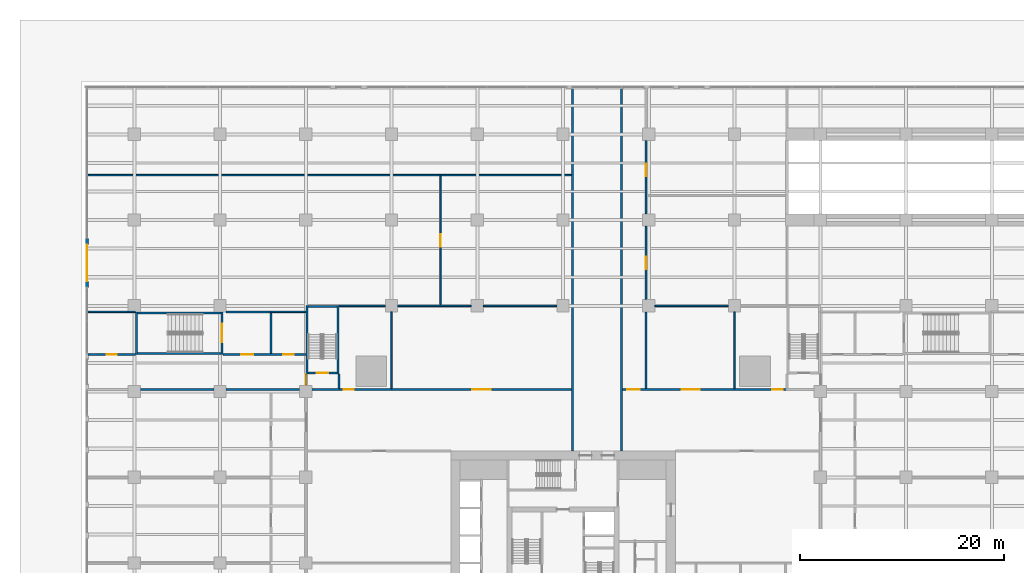
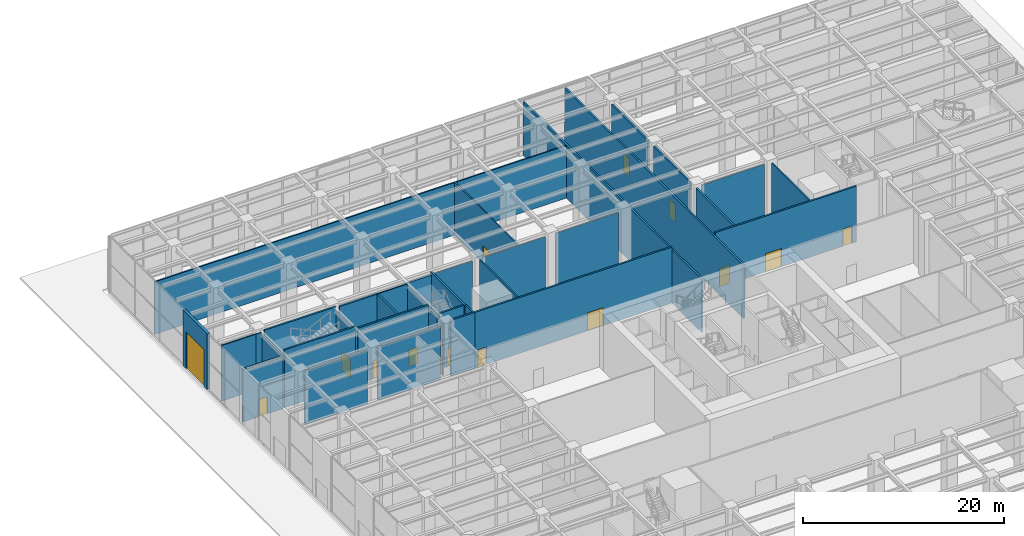
# One storey, part 34 of 43: 36 walls, 15 doors, 15 openings.
"""IFC4 building model written with IfcOpenShell, lengths in metres."""

from ifc_helpers import new_model, si_unit, direction, frame, frame_2d, origin, place, context, subcontext, project, spatial, rectangle, extrude, material, layer, layer_set, type_object, element, fill, save


model = new_model("IFC4")

# Units and contexts
model_context = context("Model", 3, precision=1e-05, world=origin(), true_north=direction((0.0, 1.0)))
body_context = subcontext(model_context, "Body", "Model", "MODEL_VIEW")
ifc_project = project(units=[si_unit("LENGTHUNIT", "METRE"), si_unit("AREAUNIT", "SQUARE_METRE"), si_unit("VOLUMEUNIT", "CUBIC_METRE"), si_unit("PLANEANGLEUNIT", "RADIAN"), si_unit("MASSUNIT", "GRAM", prefix="KILO")], contexts=[model_context])

# Site, building, storey
site_placement = place(None, origin())
site = spatial("IfcSite", under=ifc_project, at=site_placement, CompositionType="ELEMENT")
building_placement = place(site_placement, origin())
building = spatial("IfcBuilding", under=site, at=building_placement, Name="Khepri Terraces", CompositionType="ELEMENT")
storey_placement = place(building_placement, origin())
storey = spatial("IfcBuildingStorey", under=building, at=storey_placement, Name="L00", CompositionType="ELEMENT", Elevation=0.0)

# Wall, opening, door
ifc_material_1 = material(Name="Precast concrete C50/60 warm stone", Category="masonry")
ifc_layer_1 = layer(ifc_material_1, 0.300048828125, Name="Precast concrete C50/60 warm stone", Category="masonry")
ifc_layer_set_1 = layer_set([ifc_layer_1], Name="Precast concrete C50/60 warm stone")
wall_type_1 = type_object("IfcWallType", Name="WL-EXT-PRECAST-300", PredefinedType="STANDARD", material=ifc_layer_set_1)
wall_1_placement = place(storey_placement, frame((-46.64990234375, 31.800048828125, 0.0), z_axis=(0.0, 0.0, 1.0), x_axis=(0.0, -1.0, 0.0)))
wall_1 = element("IfcWall", 1, at=wall_1_placement, inside=storey, type_object=wall_type_1, Name="External wall L00 W", PredefinedType="STANDARD", context=body_context, shape_type="SweptSolid", body=[
    extrude(rectangle(XDim=4.800048828125, YDim=0.300048828125, at=frame_2d((2.39990234375, 0.0))), origin(), (0.0, 0.0, 1.0), 6.780029296875),
])
opening_1_placement = place(wall_1_placement, frame((0.60009765625, 0.0, 0.0)))
opening_1 = element("IfcOpeningElement", 2, at=opening_1_placement, cuts=wall_1, Name="Opening ED-L00-17", PredefinedType="OPENING", context=body_context, shape_type="SweptSolid", body=[
    extrude(rectangle(XDim=3.60009765625, YDim=4.5, at=frame_2d((1.800048828125, 2.25))), frame((0.0, 0.16015625, 0.0), z_axis=(0.0, -1.0, 0.0), x_axis=(1.0, 0.0, 0.0)), (0.0, 0.0, 1.0), 0.320068359375),
])
ifc_material_2 = material(Name="Perforated aluminium roller shutter", Category="aluminium")
door_type_1 = type_object("IfcDoorType", Name="DR-LOADING-3600x4500", OperationType="NOTDEFINED", PredefinedType="GATE", material=ifc_material_2)
door_1_placement = place(opening_1_placement, origin())
door_1 = element("IfcDoor", 3, at=door_1_placement, inside=storey, type_object=door_type_1, Name="Loading door L00 W", OperationType="ROLLINGUP", OverallHeight=4.5, OverallWidth=3.60009765625, PredefinedType="GATE", context=body_context, shape_type="SweptSolid", body=[
    extrude(rectangle(XDim=3.60009765625, YDim=4.5, at=frame_2d((1.800048828125, 2.25))), frame((0.0, 0.02490234375, 0.0), z_axis=(0.0, -1.0, 0.0), x_axis=(1.0, 0.0, 0.0)), (0.0, 0.0, 1.0), 0.050048828125),
])
fill(opening_1, door_1)

# Walls
ifc_material_3 = material(Name="Gypsum board partition")
ifc_layer_2 = layer(ifc_material_3, 0.14990234375, Name="Gypsum board partition")
ifc_layer_set_2 = layer_set([ifc_layer_2], Name="Gypsum board partition")
wall_type_2 = type_object("IfcWallType", Name="WL-POD-150", PredefinedType="PARTITIONING", material=ifc_layer_set_2)
wall_2_placement = place(storey_placement, frame((-46.550048828125, 24.60009765625, 0.0), z_axis=(0.0, 0.0, 1.0), x_axis=(1.0, 0.0, 0.0)))
element("IfcWall", 4, at=wall_2_placement, inside=storey, type_object=wall_type_2, Name="Partition L00-PW067", PredefinedType="PARTITIONING", context=body_context, shape_type="SweptSolid", body=[
    extrude(rectangle(XDim=3.949951171875, YDim=0.14990234375, at=frame_2d((1.97509765625, 0.0))), origin(), (0.0, 0.0, 1.0), 6.780029296875),
])
wall_3_placement = place(storey_placement, frame((-42.60009765625, 24.60009765625, 0.0), z_axis=(0.0, 0.0, 1.0), x_axis=(1.0, 0.0, 0.0)))
element("IfcWall", 5, at=wall_3_placement, inside=storey, type_object=wall_type_2, Name="Partition L00-PW068", PredefinedType="PARTITIONING", context=body_context, shape_type="SweptSolid", body=[
    extrude(rectangle(XDim=0.7001953125, YDim=0.14990234375, at=frame_2d((0.35009765625, 0.0))), origin(), (0.0, 0.0, 1.0), 6.780029296875),
])
wall_4_placement = place(storey_placement, frame((-28.699951171875, 24.60009765625, 0.0), z_axis=(0.0, 0.0, 1.0), x_axis=(1.0, 0.0, 0.0)))
element("IfcWall", 6, at=wall_4_placement, inside=storey, type_object=wall_type_2, Name="Partition L00-PW070", PredefinedType="PARTITIONING", context=body_context, shape_type="SweptSolid", body=[
    extrude(rectangle(XDim=3.5, YDim=0.14990234375, at=frame_2d((1.75, 0.0))), origin(), (0.0, 0.0, 1.0), 6.780029296875),
])
wall_5_placement = place(storey_placement, frame((-21.949951171875, 25.199951171875, 0.0), z_axis=(0.0, 0.0, 1.0), x_axis=(1.0, 0.0, 0.0)))
element("IfcWall", 7, at=wall_5_placement, inside=storey, type_object=wall_type_2, Name="Partition L00-PW075", PredefinedType="PARTITIONING", context=body_context, shape_type="SweptSolid", body=[
    extrude(rectangle(XDim=4.550048828125, YDim=0.14990234375, at=frame_2d((2.27490234375, 0.0))), origin(), (0.0, 0.0, 1.0), 6.47998046875),
])
for number, where, z_axis, x_axis, name in (
    (8, (-16.199951171875, 25.199951171875, 0.0), (0.0, 0.0, 1.0), (1.0, 0.0, 0.0), "Partition L00-PW076"),
    (9, (-7.800048828125, 25.199951171875, 0.0), (0.0, 0.0, 1.0), (1.0, 0.0, 0.0), "Partition L00-PW077"),
    (10, (9.0, 25.199951171875, 0.0), (0.0, 0.0, 1.0), (1.0, 0.0, 0.0), "Partition L00-PW078"),
):
    element("IfcWall", number, at=place(storey_placement, frame(where, z_axis=z_axis, x_axis=x_axis)), inside=storey, type_object=wall_type_2, Name=name, PredefinedType="PARTITIONING", context=body_context, shape_type="SweptSolid", body=[
        extrude(rectangle(XDim=7.199951171875, YDim=0.14990234375, at=frame_2d((3.60009765625, 0.0))), origin(), (0.0, 0.0, 1.0), 6.47998046875),
    ])
wall_6_placement = place(storey_placement, frame((-46.550048828125, 38.0, 0.0), z_axis=(0.0, 0.0, 1.0), x_axis=(1.0, 0.0, 0.0)))
element("IfcWall", 11, at=wall_6_placement, inside=storey, type_object=wall_type_2, Name="Partition L00-PW085", PredefinedType="PARTITIONING", context=body_context, shape_type="SweptSolid", body=[
    extrude(rectangle(XDim=47.35009765625, YDim=0.14990234375, at=frame_2d((23.675048828125, 0.0))), origin(), (0.0, 0.0, 1.0), 6.3798828125),
])
wall_7_placement = place(storey_placement, frame((-16.800048828125, 17.10009765625, 0.0), z_axis=(0.0, 0.0, 1.0), x_axis=(0.0, 1.0, 0.0)))
element("IfcWall", 12, at=wall_7_placement, inside=storey, type_object=wall_type_2, Name="Partition L00-PW110", PredefinedType="PARTITIONING", context=body_context, shape_type="SweptSolid", body=[
    extrude(rectangle(XDim=7.5, YDim=0.14990234375, at=frame_2d((3.75, 0.0))), origin(), (0.0, 0.0, 1.0), 6.780029296875),
])

# Wall, opening, door
wall_8_placement = place(storey_placement, frame((-12.0, 25.27490234375, 0.0), z_axis=(0.0, 0.0, 1.0), x_axis=(0.0, 1.0, 0.0)))
wall_8 = element("IfcWall", 13, at=wall_8_placement, inside=storey, type_object=wall_type_2, Name="Partition L00-PW111", PredefinedType="PARTITIONING", context=body_context, shape_type="SweptSolid", body=[
    extrude(rectangle(XDim=12.650146484375, YDim=0.14990234375, at=frame_2d((6.3251953125, 0.0))), origin(), (0.0, 0.0, 1.0), 6.47998046875),
])
opening_2_placement = place(wall_8_placement, frame((5.72509765625, 0.0, 0.0)))
opening_2 = element("IfcOpeningElement", 14, at=opening_2_placement, cuts=wall_8, Name="Opening L00-P55", PredefinedType="OPENING", context=body_context, shape_type="SweptSolid", body=[
    extrude(rectangle(XDim=1.199951171875, YDim=2.199951171875, at=frame_2d((0.60009765625, 1.10009765625))), frame((0.0, 0.0849609375, 0.0), z_axis=(0.0, -1.0, 0.0), x_axis=(1.0, 0.0, 0.0)), (0.0, 0.0, 1.0), 0.169921875),
])
ifc_material_4 = material(Name="Timber veneer", Category="wood")
door_type_2 = type_object("IfcDoorType", Name="DR-POD-SINGLE-1200", OperationType="NOTDEFINED", PredefinedType="DOOR", material=ifc_material_4)
door_2_placement = place(opening_2_placement, origin())
door_2 = element("IfcDoor", 15, at=door_2_placement, inside=storey, type_object=door_type_2, Name="Door L00-P55", OperationType="SINGLE_SWING_LEFT", OverallHeight=2.199951171875, OverallWidth=1.199951171875, PredefinedType="DOOR", context=body_context, shape_type="SweptSolid", body=[
    extrude(rectangle(XDim=1.199951171875, YDim=2.199951171875, at=frame_2d((0.60009765625, 1.10009765625))), frame((0.0, 0.02490234375, 0.0), z_axis=(0.0, -1.0, 0.0), x_axis=(1.0, 0.0, 0.0)), (0.0, 0.0, 1.0), 0.050048828125),
])
fill(opening_2, door_2)

# Walls
wall_9_placement = place(storey_placement, frame((16.800048828125, 17.10009765625, 0.0), z_axis=(0.0, 0.0, 1.0), x_axis=(0.0, 1.0, 0.0)))
element("IfcWall", 16, at=wall_9_placement, inside=storey, type_object=wall_type_2, Name="Partition L00-PW123", PredefinedType="PARTITIONING", context=body_context, shape_type="SweptSolid", body=[
    extrude(rectangle(XDim=7.5, YDim=0.14990234375, at=frame_2d((3.75, 0.0))), origin(), (0.0, 0.0, 1.0), 6.780029296875),
])
ifc_material_5 = material(Name="Fire-rated block wall")
ifc_layer_3 = layer(ifc_material_5, 0.199951171875, Name="Fire-rated block wall")
ifc_layer_set_3 = layer_set([ifc_layer_3], Name="Fire-rated block wall")
wall_type_3 = type_object("IfcWallType", Name="WL-POD-200-EI120", PredefinedType="PARTITIONING", material=ifc_layer_set_3)
for number, where, z_axis, x_axis, name in (
    (17, (-41.39990234375, 17.0, 0.0), (0.0, 0.0, 1.0), (1.0, 0.0, 0.0), "Partition L00-PW054"),
    (18, (-33.0, 17.0, 0.0), (0.0, 0.0, 1.0), (1.0, 0.0, 0.0), "Partition L00-PW055"),
):
    element("IfcWall", number, at=place(storey_placement, frame(where, z_axis=z_axis, x_axis=x_axis)), inside=storey, type_object=wall_type_3, Name=name, PredefinedType="PARTITIONING", context=body_context, shape_type="SweptSolid", body=[
        extrude(rectangle(XDim=7.199951171875, YDim=0.199951171875, at=frame_2d((3.60009765625, 0.0))), origin(), (0.0, 0.0, 1.0), 6.47998046875),
    ])
wall_10_placement = place(storey_placement, frame((-24.60009765625, 17.0, 0.0), z_axis=(0.0, 0.0, 1.0), x_axis=(1.0, 0.0, 0.0)))
element("IfcWall", 19, at=wall_10_placement, inside=storey, type_object=wall_type_3, Name="Partition L00-PW056", PredefinedType="PARTITIONING", context=body_context, shape_type="SweptSolid", body=[
    extrude(rectangle(XDim=2.75, YDim=0.199951171875, at=frame_2d((1.375, 0.0))), origin(), (0.0, 0.0, 1.0), 6.780029296875),
])

# Wall, opening, door
wall_11_placement = place(storey_placement, frame((-46.550048828125, 20.449951171875, 0.0), z_axis=(0.0, 0.0, 1.0), x_axis=(1.0, 0.0, 0.0)))
wall_11 = element("IfcWall", 20, at=wall_11_placement, inside=storey, type_object=wall_type_3, Name="Partition L00-PW063", PredefinedType="PARTITIONING", context=body_context, shape_type="SweptSolid", body=[
    extrude(rectangle(XDim=4.650146484375, YDim=0.199951171875, at=frame_2d((2.3251953125, 0.0))), origin(), (0.0, 0.0, 1.0), 6.3798828125),
])
opening_3_placement = place(wall_11_placement, frame((1.85009765625, 0.0, 0.0)))
opening_3 = element("IfcOpeningElement", 21, at=opening_3_placement, cuts=wall_11, Name="Opening L00-P48", PredefinedType="OPENING", context=body_context, shape_type="SweptSolid", body=[
    extrude(rectangle(XDim=1.0, YDim=2.10009765625, at=frame_2d((0.5, 1.050048828125))), frame((0.0, 0.10986328125, 0.0), z_axis=(0.0, -1.0, 0.0), x_axis=(1.0, 0.0, 0.0)), (0.0, 0.0, 1.0), 0.219970703125),
])
door_type_3 = type_object("IfcDoorType", Name="DR-POD-SINGLE-1000", OperationType="NOTDEFINED", PredefinedType="DOOR", material=ifc_material_4)
door_3_placement = place(opening_3_placement, origin())
door_3 = element("IfcDoor", 22, at=door_3_placement, inside=storey, type_object=door_type_3, Name="Door L00-P48", OperationType="SINGLE_SWING_RIGHT", OverallHeight=2.10009765625, OverallWidth=1.0, PredefinedType="DOOR", context=body_context, shape_type="SweptSolid", body=[
    extrude(rectangle(XDim=1.0, YDim=2.10009765625, at=frame_2d((0.5, 1.050048828125))), frame((0.0, 0.02490234375, 0.0), z_axis=(0.0, -1.0, 0.0), x_axis=(1.0, 0.0, 0.0)), (0.0, 0.0, 1.0), 0.050048828125),
])
fill(opening_3, door_3)

# Wall, openings, doors
wall_12_placement = place(storey_placement, frame((-33.300048828125, 20.449951171875, 0.0), z_axis=(0.0, 0.0, 1.0), x_axis=(1.0, 0.0, 0.0)))
wall_12 = element("IfcWall", 23, at=wall_12_placement, inside=storey, type_object=wall_type_3, Name="Partition L00-PW064", PredefinedType="PARTITIONING", context=body_context, shape_type="SweptSolid", body=[
    extrude(rectangle(XDim=8.10009765625, YDim=0.199951171875, at=frame_2d((4.050048828125, 0.0))), origin(), (0.0, 0.0, 1.0), 6.780029296875),
])
opening_4_placement = place(wall_12_placement, frame((1.75, 0.0, 0.0)))
opening_4 = element("IfcOpeningElement", 24, at=opening_4_placement, cuts=wall_12, Name="Opening L00-P49", PredefinedType="OPENING", context=body_context, shape_type="SweptSolid", body=[
    extrude(rectangle(XDim=1.199951171875, YDim=2.199951171875, at=frame_2d((0.60009765625, 1.10009765625))), frame((0.0, 0.10986328125, 0.0), z_axis=(0.0, -1.0, 0.0), x_axis=(1.0, 0.0, 0.0)), (0.0, 0.0, 1.0), 0.219970703125),
])
opening_5_placement = place(wall_12_placement, frame((5.89990234375, 0.0, 0.0)))
opening_5 = element("IfcOpeningElement", 25, at=opening_5_placement, cuts=wall_12, Name="Opening L00-P50", PredefinedType="OPENING", context=body_context, shape_type="SweptSolid", body=[
    extrude(rectangle(XDim=1.0, YDim=2.10009765625, at=frame_2d((0.5, 1.050048828125))), frame((0.0, 0.10986328125, 0.0), z_axis=(0.0, -1.0, 0.0), x_axis=(1.0, 0.0, 0.0)), (0.0, 0.0, 1.0), 0.219970703125),
])
ifc_material_6 = material(Name="Painted steel", Category="steel")
door_type_4 = type_object("IfcDoorType", Name="DR-POD-EXIT-1200", OperationType="NOTDEFINED", PredefinedType="DOOR", material=ifc_material_6)
door_4_placement = place(opening_4_placement, origin())
door_4 = element("IfcDoor", 26, at=door_4_placement, inside=storey, type_object=door_type_4, Name="Exit door L00-P49", OperationType="SINGLE_SWING_RIGHT", OverallHeight=2.199951171875, OverallWidth=1.199951171875, PredefinedType="DOOR", context=body_context, shape_type="SweptSolid", body=[
    extrude(rectangle(XDim=1.199951171875, YDim=2.199951171875, at=frame_2d((0.60009765625, 1.10009765625))), frame((0.0, 0.02490234375, 0.0), z_axis=(0.0, -1.0, 0.0), x_axis=(1.0, 0.0, 0.0)), (0.0, 0.0, 1.0), 0.050048828125),
])
fill(opening_4, door_4)
door_5_placement = place(opening_5_placement, origin())
door_5 = element("IfcDoor", 27, at=door_5_placement, inside=storey, type_object=door_type_3, Name="Door L00-P50", OperationType="SINGLE_SWING_RIGHT", OverallHeight=2.10009765625, OverallWidth=1.0, PredefinedType="DOOR", context=body_context, shape_type="SweptSolid", body=[
    extrude(rectangle(XDim=1.0, YDim=2.10009765625, at=frame_2d((0.5, 1.050048828125))), frame((0.0, 0.02490234375, 0.0), z_axis=(0.0, -1.0, 0.0), x_axis=(1.0, 0.0, 0.0)), (0.0, 0.0, 1.0), 0.050048828125),
])
fill(opening_5, door_5)

# Walls
wall_13_placement = place(storey_placement, frame((-33.0, 24.60009765625, 0.0), z_axis=(0.0, 0.0, 1.0), x_axis=(1.0, 0.0, 0.0)))
element("IfcWall", 28, at=wall_13_placement, inside=storey, type_object=wall_type_3, Name="Partition L00-PW069", PredefinedType="PARTITIONING", context=body_context, shape_type="SweptSolid", body=[
    extrude(rectangle(XDim=4.5, YDim=0.199951171875, at=frame_2d((2.25, 0.0))), origin(), (0.0, 0.0, 1.0), 6.780029296875),
])
wall_14_placement = place(storey_placement, frame((-28.60009765625, 20.550048828125, 0.0), z_axis=(0.0, 0.0, 1.0), x_axis=(0.0, 1.0, 0.0)))
element("IfcWall", 29, at=wall_14_placement, inside=storey, type_object=wall_type_3, Name="Partition L00-PW092", PredefinedType="PARTITIONING", context=body_context, shape_type="SweptSolid", body=[
    extrude(rectangle(XDim=3.949951171875, YDim=0.199951171875, at=frame_2d((1.97509765625, 0.0))), origin(), (0.0, 0.0, 1.0), 6.780029296875),
])

# Wall, opening, door
wall_15_placement = place(storey_placement, frame((-25.199951171875, 17.39990234375, 0.0), z_axis=(0.0, 0.0, 1.0), x_axis=(0.0, 1.0, 0.0)))
wall_15 = element("IfcWall", 30, at=wall_15_placement, inside=storey, type_object=wall_type_3, Name="Partition L00-PW102", PredefinedType="PARTITIONING", context=body_context, shape_type="SweptSolid", body=[
    extrude(rectangle(XDim=1.10009765625, YDim=0.199951171875, at=frame_2d((0.550048828125, 0.0))), origin(), (0.0, 0.0, 1.0), 6.3798828125),
])
opening_6_placement = place(wall_15_placement, frame((0.050048828125, 0.0, 0.0)))
opening_6 = element("IfcOpeningElement", 31, at=opening_6_placement, cuts=wall_15, Name="Opening L00-P46", PredefinedType="OPENING", context=body_context, shape_type="SweptSolid", body=[
    extrude(rectangle(XDim=1.0, YDim=2.199951171875, at=frame_2d((0.5, 1.10009765625))), frame((0.0, 0.10986328125, 0.0), z_axis=(0.0, -1.0, 0.0), x_axis=(1.0, 0.0, 0.0)), (0.0, 0.0, 1.0), 0.219970703125),
])
door_type_5 = type_object("IfcDoorType", Name="DR-POD-EXIT-1000", OperationType="NOTDEFINED", PredefinedType="DOOR", material=ifc_material_6)
door_6_placement = place(opening_6_placement, origin())
door_6 = element("IfcDoor", 32, at=door_6_placement, inside=storey, type_object=door_type_5, Name="Exit door L00-P46", OperationType="SINGLE_SWING_LEFT", OverallHeight=2.199951171875, OverallWidth=1.0, PredefinedType="DOOR", context=body_context, shape_type="SweptSolid", body=[
    extrude(rectangle(XDim=1.0, YDim=2.199951171875, at=frame_2d((0.5, 1.10009765625))), frame((0.0, 0.02490234375, 0.0), z_axis=(0.0, -1.0, 0.0), x_axis=(1.0, 0.0, 0.0)), (0.0, 0.0, 1.0), 0.050048828125),
])
fill(opening_6, door_6)

# Walls
wall_16_placement = place(storey_placement, frame((-21.949951171875, 17.10009765625, 0.0), z_axis=(0.0, 0.0, 1.0), x_axis=(0.0, 1.0, 0.0)))
element("IfcWall", 33, at=wall_16_placement, inside=storey, type_object=wall_type_3, Name="Partition L00-PW104", PredefinedType="PARTITIONING", context=body_context, shape_type="SweptSolid", body=[
    extrude(rectangle(XDim=1.39990234375, YDim=0.199951171875, at=frame_2d((0.699951171875, 0.0))), origin(), (0.0, 0.0, 1.0), 6.780029296875),
])
for number, where, z_axis, x_axis, name in (
    (34, (0.89990234375, 11.0, 0.0), (0.0, 0.0, 1.0), (0.0, 1.0, 0.0), "Partition L00-PW112"),
    (35, (5.699951171875, 11.0, 0.0), (0.0, 0.0, 1.0), (0.0, 1.0, 0.0), "Partition L00-PW113"),
):
    element("IfcWall", number, at=place(storey_placement, frame(where, z_axis=z_axis, x_axis=x_axis)), inside=storey, type_object=wall_type_3, Name=name, PredefinedType="PARTITIONING", context=body_context, shape_type="SweptSolid", body=[
        extrude(rectangle(XDim=35.550048828125, YDim=0.199951171875, at=frame_2d((17.77490234375, 0.0))), origin(), (0.0, 0.0, 1.0), 6.47998046875),
    ])

# Wall, openings, doors
ifc_layer_4 = layer(ifc_material_5, 0.199951171875, Name="Fire-rated block wall")
ifc_layer_set_4 = layer_set([ifc_layer_4], Name="Fire-rated block wall")
wall_type_4 = type_object("IfcWallType", Name="WL-POD-200-EI60", PredefinedType="PARTITIONING", material=ifc_layer_set_4)
wall_17_placement = place(storey_placement, frame((-22.050048828125, 17.0, 0.0), z_axis=(0.0, 0.0, 1.0), x_axis=(1.0, 0.0, 0.0)))
wall_17 = element("IfcWall", 36, at=wall_17_placement, inside=storey, type_object=wall_type_4, Name="Partition L00-PW057", PredefinedType="PARTITIONING", context=body_context, shape_type="SweptSolid", body=[
    extrude(rectangle(XDim=22.85009765625, YDim=0.199951171875, at=frame_2d((11.425048828125, 0.0))), origin(), (0.0, 0.0, 1.0), 6.780029296875),
])
opening_7_placement = place(wall_17_placement, frame((0.550048828125, 0.0, 0.0)))
opening_7 = element("IfcOpeningElement", 37, at=opening_7_placement, cuts=wall_17, Name="Opening L00-P41", PredefinedType="OPENING", context=body_context, shape_type="SweptSolid", body=[
    extrude(rectangle(XDim=1.0, YDim=2.10009765625, at=frame_2d((0.5, 1.050048828125))), frame((0.0, 0.10986328125, 0.0), z_axis=(0.0, -1.0, 0.0), x_axis=(1.0, 0.0, 0.0)), (0.0, 0.0, 1.0), 0.219970703125),
])
opening_8_placement = place(wall_17_placement, frame((13.14990234375, 0.0, 0.0)))
opening_8 = element("IfcOpeningElement", 38, at=opening_8_placement, cuts=wall_17, Name="Opening L00-P42", PredefinedType="OPENING", context=body_context, shape_type="SweptSolid", body=[
    extrude(rectangle(XDim=1.800048828125, YDim=2.199951171875, at=frame_2d((0.89990234375, 1.10009765625))), frame((0.0, 0.10986328125, 0.0), z_axis=(0.0, -1.0, 0.0), x_axis=(1.0, 0.0, 0.0)), (0.0, 0.0, 1.0), 0.219970703125),
])
ifc_material_7 = material(Name="Glazed aluminium", Category="aluminium")
door_type_6 = type_object("IfcDoorType", Name="DR-POD-PAIR-1800", OperationType="DOUBLE_DOOR_SINGLE_SWING", PredefinedType="DOOR", material=ifc_material_7)
door_7_placement = place(opening_8_placement, origin())
door_7 = element("IfcDoor", 39, at=door_7_placement, inside=storey, type_object=door_type_6, Name="Double door L00-P42", OperationType="DOUBLE_DOOR_SINGLE_SWING", OverallHeight=2.199951171875, OverallWidth=1.800048828125, PredefinedType="DOOR", context=body_context, shape_type="SweptSolid", body=[
    extrude(rectangle(XDim=1.800048828125, YDim=2.199951171875, at=frame_2d((0.89990234375, 1.10009765625))), frame((0.0, 0.02490234375, 0.0), z_axis=(0.0, -1.0, 0.0), x_axis=(1.0, 0.0, 0.0)), (0.0, 0.0, 1.0), 0.050048828125),
])
fill(opening_8, door_7)
door_8_placement = place(opening_7_placement, origin())
door_8 = element("IfcDoor", 40, at=door_8_placement, inside=storey, type_object=door_type_3, Name="Door L00-P41", OperationType="SINGLE_SWING_LEFT", OverallHeight=2.10009765625, OverallWidth=1.0, PredefinedType="DOOR", context=body_context, shape_type="SweptSolid", body=[
    extrude(rectangle(XDim=1.0, YDim=2.10009765625, at=frame_2d((0.5, 1.050048828125))), frame((0.0, 0.02490234375, 0.0), z_axis=(0.0, -1.0, 0.0), x_axis=(1.0, 0.0, 0.0)), (0.0, 0.0, 1.0), 0.050048828125),
])
fill(opening_7, door_8)

wall_18_placement = place(storey_placement, frame((5.800048828125, 17.0, 0.0), z_axis=(0.0, 0.0, 1.0), x_axis=(1.0, 0.0, 0.0)))
wall_18 = element("IfcWall", 41, at=wall_18_placement, inside=storey, type_object=wall_type_4, Name="Partition L00-PW058", PredefinedType="PARTITIONING", context=body_context, shape_type="SweptSolid", body=[
    extrude(rectangle(XDim=16.25, YDim=0.199951171875, at=frame_2d((8.125, 0.0))), origin(), (0.0, 0.0, 1.0), 6.780029296875),
])
opening_9_placement = place(wall_18_placement, frame((0.5, 0.0, 0.0)))
opening_9 = element("IfcOpeningElement", 42, at=opening_9_placement, cuts=wall_18, Name="Opening L00-P43", PredefinedType="OPENING", context=body_context, shape_type="SweptSolid", body=[
    extrude(rectangle(XDim=1.199951171875, YDim=2.199951171875, at=frame_2d((0.60009765625, 1.10009765625))), frame((0.0, 0.10986328125, 0.0), z_axis=(0.0, -1.0, 0.0), x_axis=(1.0, 0.0, 0.0)), (0.0, 0.0, 1.0), 0.219970703125),
])
opening_10_placement = place(wall_18_placement, frame((5.800048828125, 0.0, 0.0)))
opening_10 = element("IfcOpeningElement", 43, at=opening_10_placement, cuts=wall_18, Name="Opening L00-P44", PredefinedType="OPENING", context=body_context, shape_type="SweptSolid", body=[
    extrude(rectangle(XDim=1.800048828125, YDim=2.199951171875, at=frame_2d((0.89990234375, 1.10009765625))), frame((0.0, 0.10986328125, 0.0), z_axis=(0.0, -1.0, 0.0), x_axis=(1.0, 0.0, 0.0)), (0.0, 0.0, 1.0), 0.219970703125),
])
opening_11_placement = place(wall_18_placement, frame((14.699951171875, 0.0, 0.0)))
opening_11 = element("IfcOpeningElement", 44, at=opening_11_placement, cuts=wall_18, Name="Opening L00-P45", PredefinedType="OPENING", context=body_context, shape_type="SweptSolid", body=[
    extrude(rectangle(XDim=1.0, YDim=2.10009765625, at=frame_2d((0.5, 1.050048828125))), frame((0.0, 0.10986328125, 0.0), z_axis=(0.0, -1.0, 0.0), x_axis=(1.0, 0.0, 0.0)), (0.0, 0.0, 1.0), 0.219970703125),
])
door_type_7 = type_object("IfcDoorType", Name="DR-POD-FIRE-1200", OperationType="NOTDEFINED", PredefinedType="DOOR", material=ifc_material_6)
door_9_placement = place(opening_9_placement, origin())
door_9 = element("IfcDoor", 45, at=door_9_placement, inside=storey, type_object=door_type_7, Name="Fire door L00-P43", OperationType="SINGLE_SWING_RIGHT", OverallHeight=2.199951171875, OverallWidth=1.199951171875, PredefinedType="DOOR", context=body_context, shape_type="SweptSolid", body=[
    extrude(rectangle(XDim=1.199951171875, YDim=2.199951171875, at=frame_2d((0.60009765625, 1.10009765625))), frame((0.0, 0.02490234375, 0.0), z_axis=(0.0, -1.0, 0.0), x_axis=(1.0, 0.0, 0.0)), (0.0, 0.0, 1.0), 0.050048828125),
])
fill(opening_9, door_9)
door_10_placement = place(opening_10_placement, origin())
door_10 = element("IfcDoor", 46, at=door_10_placement, inside=storey, type_object=door_type_6, Name="Double door L00-P44", OperationType="DOUBLE_DOOR_SINGLE_SWING", OverallHeight=2.199951171875, OverallWidth=1.800048828125, PredefinedType="DOOR", context=body_context, shape_type="SweptSolid", body=[
    extrude(rectangle(XDim=1.800048828125, YDim=2.199951171875, at=frame_2d((0.89990234375, 1.10009765625))), frame((0.0, 0.02490234375, 0.0), z_axis=(0.0, -1.0, 0.0), x_axis=(1.0, 0.0, 0.0)), (0.0, 0.0, 1.0), 0.050048828125),
])
fill(opening_10, door_10)
door_11_placement = place(opening_11_placement, origin())
door_11 = element("IfcDoor", 47, at=door_11_placement, inside=storey, type_object=door_type_3, Name="Door L00-P45", OperationType="SINGLE_SWING_RIGHT", OverallHeight=2.10009765625, OverallWidth=1.0, PredefinedType="DOOR", context=body_context, shape_type="SweptSolid", body=[
    extrude(rectangle(XDim=1.0, YDim=2.10009765625, at=frame_2d((0.5, 1.050048828125))), frame((0.0, 0.02490234375, 0.0), z_axis=(0.0, -1.0, 0.0), x_axis=(1.0, 0.0, 0.0)), (0.0, 0.0, 1.0), 0.050048828125),
])
fill(opening_11, door_11)

# Wall
wall_19_placement = place(storey_placement, frame((8.10009765625, 17.10009765625, 0.0), z_axis=(0.0, 0.0, 1.0), x_axis=(0.0, 1.0, 0.0)))
element("IfcWall", 48, at=wall_19_placement, inside=storey, type_object=wall_type_4, Name="Partition L00-PW114", PredefinedType="PARTITIONING", context=body_context, shape_type="SweptSolid", body=[
    extrude(rectangle(XDim=7.5, YDim=0.199951171875, at=frame_2d((3.75, 0.0))), origin(), (0.0, 0.0, 1.0), 6.780029296875),
])

# Wall, opening, door
wall_20_placement = place(storey_placement, frame((8.10009765625, 25.800048828125, 0.0), z_axis=(0.0, 0.0, 1.0), x_axis=(0.0, 1.0, 0.0)))
wall_20 = element("IfcWall", 49, at=wall_20_placement, inside=storey, type_object=wall_type_4, Name="Partition L00-PW115", PredefinedType="PARTITIONING", context=body_context, shape_type="SweptSolid", body=[
    extrude(rectangle(XDim=7.199951171875, YDim=0.199951171875, at=frame_2d((3.60009765625, 0.0))), origin(), (0.0, 0.0, 1.0), 6.780029296875),
])
opening_12_placement = place(wall_20_placement, frame((3.0, 0.0, 0.0)))
opening_12 = element("IfcOpeningElement", 50, at=opening_12_placement, cuts=wall_20, Name="Opening L00-P54", PredefinedType="OPENING", context=body_context, shape_type="SweptSolid", body=[
    extrude(rectangle(XDim=1.199951171875, YDim=2.199951171875, at=frame_2d((0.60009765625, 1.10009765625))), frame((0.0, 0.10986328125, 0.0), z_axis=(0.0, -1.0, 0.0), x_axis=(1.0, 0.0, 0.0)), (0.0, 0.0, 1.0), 0.219970703125),
])
door_12_placement = place(opening_12_placement, origin())
door_12 = element("IfcDoor", 51, at=door_12_placement, inside=storey, type_object=door_type_2, Name="Door L00-P54", OperationType="SINGLE_SWING_RIGHT", OverallHeight=2.199951171875, OverallWidth=1.199951171875, PredefinedType="DOOR", context=body_context, shape_type="SweptSolid", body=[
    extrude(rectangle(XDim=1.199951171875, YDim=2.199951171875, at=frame_2d((0.60009765625, 1.10009765625))), frame((0.0, 0.02490234375, 0.0), z_axis=(0.0, -1.0, 0.0), x_axis=(1.0, 0.0, 0.0)), (0.0, 0.0, 1.0), 0.050048828125),
])
fill(opening_12, door_12)

wall_21_placement = place(storey_placement, frame((8.10009765625, 34.199951171875, 0.0), z_axis=(0.0, 0.0, 1.0), x_axis=(0.0, 1.0, 0.0)))
wall_21 = element("IfcWall", 52, at=wall_21_placement, inside=storey, type_object=wall_type_4, Name="Partition L00-PW116", PredefinedType="PARTITIONING", context=body_context, shape_type="SweptSolid", body=[
    extrude(rectangle(XDim=7.199951171875, YDim=0.199951171875, at=frame_2d((3.60009765625, 0.0))), origin(), (0.0, 0.0, 1.0), 6.780029296875),
])
opening_13_placement = place(wall_21_placement, frame((3.699951171875, 0.0, 0.0)))
opening_13 = element("IfcOpeningElement", 53, at=opening_13_placement, cuts=wall_21, Name="Opening L00-P56", PredefinedType="OPENING", context=body_context, shape_type="SweptSolid", body=[
    extrude(rectangle(XDim=1.199951171875, YDim=2.199951171875, at=frame_2d((0.60009765625, 1.10009765625))), frame((0.0, 0.10986328125, 0.0), z_axis=(0.0, -1.0, 0.0), x_axis=(1.0, 0.0, 0.0)), (0.0, 0.0, 1.0), 0.219970703125),
])
door_13_placement = place(opening_13_placement, origin())
door_13 = element("IfcDoor", 54, at=door_13_placement, inside=storey, type_object=door_type_2, Name="Door L00-P56", OperationType="SINGLE_SWING_LEFT", OverallHeight=2.199951171875, OverallWidth=1.199951171875, PredefinedType="DOOR", context=body_context, shape_type="SweptSolid", body=[
    extrude(rectangle(XDim=1.199951171875, YDim=2.199951171875, at=frame_2d((0.60009765625, 1.10009765625))), frame((0.0, 0.02490234375, 0.0), z_axis=(0.0, -1.0, 0.0), x_axis=(1.0, 0.0, 0.0)), (0.0, 0.0, 1.0), 0.050048828125),
])
fill(opening_13, door_13)

# Walls
ifc_material_8 = material(Name="Concrete C40/50", Category="concrete")
ifc_layer_5 = layer(ifc_material_8, 0.199951171875, Name="Concrete C40/50", Category="concrete")
ifc_layer_set_5 = layer_set([ifc_layer_5], Name="Concrete C40/50")
wall_type_5 = type_object("IfcWallType", Name="WL-POD-STAIR-200", PredefinedType="SOLIDWALL", material=ifc_layer_set_5)
wall_22_placement = place(storey_placement, frame((-25.10009765625, 18.5, 0.0), z_axis=(0.0, 0.0, 1.0), x_axis=(0.0, 1.0, 0.0)))
element("IfcWall", 55, at=wall_22_placement, inside=storey, type_object=wall_type_5, Name="Stair enclosure PS-2 L00-W", PredefinedType="SOLIDWALL", context=body_context, shape_type="SweptSolid", body=[
    extrude(rectangle(XDim=6.739990234375, YDim=0.199951171875, at=frame_2d((3.3701171875, 0.0))), origin(), (0.0, 0.0, 1.0), 6.3798828125),
])
wall_23_placement = place(storey_placement, frame((-22.050048828125, 18.5, 0.0), z_axis=(0.0, 0.0, 1.0), x_axis=(0.0, 1.0, 0.0)))
element("IfcWall", 56, at=wall_23_placement, inside=storey, type_object=wall_type_5, Name="Stair enclosure PS-2 L00-E", PredefinedType="SOLIDWALL", context=body_context, shape_type="SweptSolid", body=[
    extrude(rectangle(XDim=6.739990234375, YDim=0.199951171875, at=frame_2d((3.3701171875, 0.0))), origin(), (0.0, 0.0, 1.0), 6.780029296875),
])

# Wall, opening, door
wall_24_placement = place(storey_placement, frame((-25.0, 18.60009765625, 0.0), z_axis=(0.0, 0.0, 1.0), x_axis=(1.0, 0.0, 0.0)))
wall_24 = element("IfcWall", 57, at=wall_24_placement, inside=storey, type_object=wall_type_5, Name="Stair enclosure PS-2 L00-S", PredefinedType="SOLIDWALL", context=body_context, shape_type="SweptSolid", body=[
    extrude(rectangle(XDim=2.85009765625, YDim=0.199951171875, at=frame_2d((1.425048828125, 0.0))), origin(), (0.0, 0.0, 1.0), 6.780029296875),
])
opening_14_placement = place(wall_24_placement, frame((0.875, 0.0, 0.0)))
opening_14 = element("IfcOpeningElement", 58, at=opening_14_placement, cuts=wall_24, Name="Opening L00-PS-2D", PredefinedType="OPENING", context=body_context, shape_type="SweptSolid", body=[
    extrude(rectangle(XDim=1.10009765625, YDim=2.199951171875, at=frame_2d((0.550048828125, 1.10009765625))), frame((0.0, 0.10986328125, 0.0), z_axis=(0.0, -1.0, 0.0), x_axis=(1.0, 0.0, 0.0)), (0.0, 0.0, 1.0), 0.219970703125),
])
door_type_8 = type_object("IfcDoorType", Name="DR-POD-STAIR-1100", OperationType="NOTDEFINED", PredefinedType="DOOR", material=ifc_material_6)
door_14_placement = place(opening_14_placement, origin())
door_14 = element("IfcDoor", 59, at=door_14_placement, inside=storey, type_object=door_type_8, Name="Stair door L00-PS-2D", OperationType="SINGLE_SWING_LEFT", OverallHeight=2.199951171875, OverallWidth=1.10009765625, PredefinedType="DOOR", context=body_context, shape_type="SweptSolid", body=[
    extrude(rectangle(XDim=1.10009765625, YDim=2.199951171875, at=frame_2d((0.550048828125, 1.10009765625))), frame((0.0, 0.02490234375, 0.0), z_axis=(0.0, -1.0, 0.0), x_axis=(1.0, 0.0, 0.0)), (0.0, 0.0, 1.0), 0.050048828125),
])
fill(opening_14, door_14)

# Walls
wall_25_placement = place(storey_placement, frame((-25.0, 25.139892578125, 0.0), z_axis=(0.0, 0.0, 1.0), x_axis=(1.0, 0.0, 0.0)))
element("IfcWall", 60, at=wall_25_placement, inside=storey, type_object=wall_type_5, Name="Stair enclosure PS-2 L00-N", PredefinedType="SOLIDWALL", context=body_context, shape_type="SweptSolid", body=[
    extrude(rectangle(XDim=2.85009765625, YDim=0.199951171875, at=frame_2d((1.425048828125, 0.0))), origin(), (0.0, 0.0, 1.0), 6.47998046875),
])
wall_26_placement = place(storey_placement, frame((-41.800048828125, 20.449951171875, 0.0), z_axis=(0.0, 0.0, 1.0), x_axis=(0.0, 1.0, 0.0)))
element("IfcWall", 61, at=wall_26_placement, inside=storey, type_object=wall_type_5, Name="Stair enclosure PS-5 L00-W", PredefinedType="SOLIDWALL", context=body_context, shape_type="SweptSolid", body=[
    extrude(rectangle(XDim=4.150146484375, YDim=0.199951171875, at=frame_2d((2.0751953125, 0.0))), origin(), (0.0, 0.0, 1.0), 6.3798828125),
])

# Wall, opening, door
wall_27_placement = place(storey_placement, frame((-33.39990234375, 20.449951171875, 0.0), z_axis=(0.0, 0.0, 1.0), x_axis=(0.0, 1.0, 0.0)))
wall_27 = element("IfcWall", 62, at=wall_27_placement, inside=storey, type_object=wall_type_5, Name="Stair enclosure PS-5 L00-E", PredefinedType="SOLIDWALL", context=body_context, shape_type="SweptSolid", body=[
    extrude(rectangle(XDim=4.150146484375, YDim=0.199951171875, at=frame_2d((2.0751953125, 0.0))), origin(), (0.0, 0.0, 1.0), 6.3798828125),
])
opening_15_placement = place(wall_27_placement, frame((1.175048828125, 0.0, 0.0)))
opening_15 = element("IfcOpeningElement", 63, at=opening_15_placement, cuts=wall_27, Name="Opening L00-PS-5D", PredefinedType="OPENING", context=body_context, shape_type="SweptSolid", body=[
    extrude(rectangle(XDim=1.800048828125, YDim=2.199951171875, at=frame_2d((0.89990234375, 1.10009765625))), frame((0.0, 0.10986328125, 0.0), z_axis=(0.0, -1.0, 0.0), x_axis=(1.0, 0.0, 0.0)), (0.0, 0.0, 1.0), 0.219970703125),
])
door_type_9 = type_object("IfcDoorType", Name="DR-POD-STAIR-PAIR-1800", OperationType="DOUBLE_DOOR_SINGLE_SWING", PredefinedType="DOOR", material=ifc_material_6)
door_15_placement = place(opening_15_placement, origin())
door_15 = element("IfcDoor", 64, at=door_15_placement, inside=storey, type_object=door_type_9, Name="Stair door L00-PS-5D", OperationType="DOUBLE_DOOR_SINGLE_SWING", OverallHeight=2.199951171875, OverallWidth=1.800048828125, PredefinedType="DOOR", context=body_context, shape_type="SweptSolid", body=[
    extrude(rectangle(XDim=1.800048828125, YDim=2.199951171875, at=frame_2d((0.89990234375, 1.10009765625))), frame((0.0, 0.02490234375, 0.0), z_axis=(0.0, -1.0, 0.0), x_axis=(1.0, 0.0, 0.0)), (0.0, 0.0, 1.0), 0.050048828125),
])
fill(opening_15, door_15)

# Walls
for number, where, z_axis, x_axis, name in (
    (65, (-41.699951171875, 20.550048828125, 0.0), (0.0, 0.0, 1.0), (1.0, 0.0, 0.0), "Stair enclosure PS-5 L00-S"),
    (66, (-41.699951171875, 24.5, 0.0), (0.0, 0.0, 1.0), (1.0, 0.0, 0.0), "Stair enclosure PS-5 L00-N"),
):
    element("IfcWall", number, at=place(storey_placement, frame(where, z_axis=z_axis, x_axis=x_axis)), inside=storey, type_object=wall_type_5, Name=name, PredefinedType="SOLIDWALL", context=body_context, shape_type="SweptSolid", body=[
        extrude(rectangle(XDim=8.199951171875, YDim=0.199951171875, at=frame_2d((4.10009765625, 0.0))), origin(), (0.0, 0.0, 1.0), 7.0),
    ])

save(model, "model.ifc")
